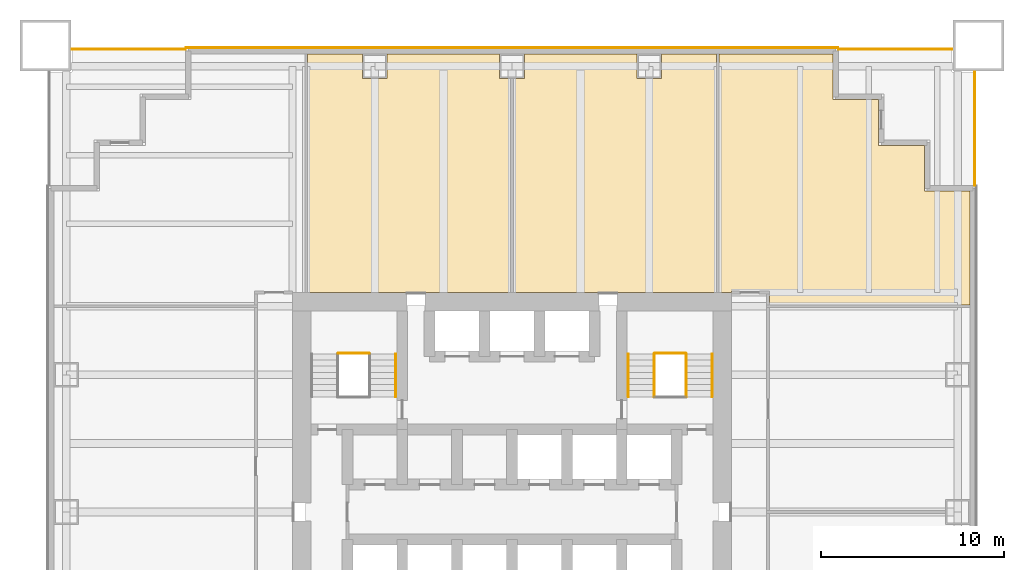
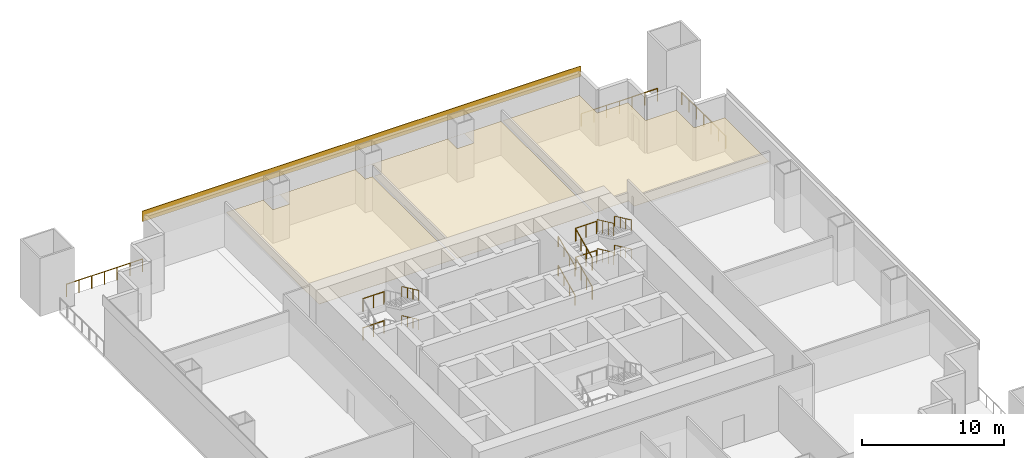
# One storey, part 6 of 6: 17 railings, 4 coverings.
"""IFC4 building model written with IfcOpenShell, lengths in metres."""

from ifc_helpers import new_model, si_unit, direction, frame, origin, origin_2d, place, context, subcontext, project, spatial, polyline, rectangle, circle, outline, extrude, material, layer, layer_set, type_object, element, save


model = new_model("IFC4")

# Units and contexts
model_context = context("Model", 3, precision=1e-05, world=origin(), true_north=direction((0.0, 1.0)))
body_context = subcontext(model_context, "Body", "Model", "MODEL_VIEW")
ifc_project = project(units=[si_unit("LENGTHUNIT", "METRE"), si_unit("AREAUNIT", "SQUARE_METRE"), si_unit("VOLUMEUNIT", "CUBIC_METRE"), si_unit("PLANEANGLEUNIT", "RADIAN"), si_unit("MASSUNIT", "GRAM", prefix="KILO")], contexts=[model_context])

# Site, building, storey
site_placement = place(None, origin())
site = spatial("IfcSite", under=ifc_project, at=site_placement, CompositionType="ELEMENT")
building_placement = place(site_placement, origin())
building = spatial("IfcBuilding", under=site, at=building_placement, Name="Tarangal Relay Tower", CompositionType="ELEMENT")
storey_placement = place(building_placement, frame((0.0, 0.0, 63.39990234375)))
storey = spatial("IfcBuildingStorey", under=building, at=storey_placement, Name="L12", CompositionType="ELEMENT", Elevation=63.39990234375)

# Covering
ifc_material_1 = material(Name="Black anodised aluminium cladding", Category="aluminium")
ifc_layer_1 = layer(ifc_material_1, 0.050048828125)
ifc_layer_set_1 = layer_set([ifc_layer_1], Name="Black metal spandrel band")
covering_type_1 = type_object("IfcCoveringType", Name="Black metal spandrel band", PredefinedType="CLADDING", material=ifc_layer_set_1)
covering_1_placement = place(storey_placement, frame((0.0, 25.375, 4.250244140625), z_axis=(0.0, 0.0, 1.0), x_axis=(1.0, 0.0, 0.0)))
element("IfcCovering", 1, at=covering_1_placement, inside=storey, type_object=covering_type_1, Name="Spandrel band SB1 N L12", PredefinedType="CLADDING", context=body_context, shape_type="SweptSolid", body=[
    extrude(rectangle(XDim=35.699951171875, YDim=0.050048828125, at=origin_2d()), origin(), (0.0, 0.0, 1.0), 0.89990234375),
])

# Railings
ifc_material_2 = material(Name="Steel guard, black finish", Category="steel")
railing_type_1 = type_object("IfcRailingType", Name="Stair guard 1100", PredefinedType="GUARDRAIL", material=ifc_material_2)
for number, where, name in (
    (2, (-9.5, 8.675048828125, 1.25), "Stair ST-A landing guard GR1 L12"),
    (3, (-9.5, 8.675048828125, 3.75), "Stair ST-A landing guard GR1 L12"),
):
    element("IfcRailing", number, at=place(storey_placement, frame(where)), inside=storey, type_object=railing_type_1, Name=name, PredefinedType="GUARDRAIL", context=body_context, shape_type="SweptSolid", body=[
        extrude(circle(Radius=0.02392578125, at=origin_2d()), frame((0.0, 0.0, 1.076171875), z_axis=(1.0, 0.0, 0.0), x_axis=(0.0, 1.0, 0.0)), (0.0, 0.0, 1.0), 1.699951171875),
        extrude(circle(Radius=0.02099609375, at=origin_2d()), origin(), (0.0, 0.0, 1.0), 1.052001953125),
        extrude(circle(Radius=0.02099609375, at=origin_2d()), frame((0.85009765625, 0.0, 0.0)), (0.0, 0.0, 1.0), 1.052001953125),
        extrude(circle(Radius=0.02099609375, at=origin_2d()), frame((1.699951171875, 0.0, 0.0)), (0.0, 0.0, 1.0), 1.052001953125),
    ])
railing_1_placement = place(storey_placement, frame((7.77001953125, 6.300048828125, 0.15625)))
element("IfcRailing", 4, at=railing_1_placement, inside=storey, type_object=railing_type_1, Name="Stair ST-B guard GR1 L12 flight 1", PredefinedType="GUARDRAIL", context=body_context, shape_type="SweptSolid", body=[
    extrude(circle(Radius=0.02392578125, at=origin_2d()), frame((0.0, 0.0, 1.076171875), z_axis=(0.0, 0.90626748934, 0.422704669676), x_axis=(-1.0, 0.0, 0.0)), (0.0, 0.0, 1.0), 2.58740234375),
    extrude(circle(Radius=0.02099609375, at=origin_2d()), origin(), (0.0, 0.0, 1.0), 1.052001953125),
    extrude(circle(Radius=0.02099609375, at=origin_2d()), frame((0.0, 0.78173828125, 0.364501953125)), (0.0, 0.0, 1.0), 1.052001953125),
    extrude(circle(Radius=0.02099609375, at=origin_2d()), frame((0.0, 1.563232421875, 0.729248046875)), (0.0, 0.0, 1.0), 1.052001953125),
    extrude(circle(Radius=0.02099609375, at=origin_2d()), frame((0.0, 2.344970703125, 1.09375)), (0.0, 0.0, 1.0), 1.052001953125),
])
railing_2_placement = place(storey_placement, frame((9.530029296875, 8.64501953125, 1.406494140625)))
element("IfcRailing", 5, at=railing_2_placement, inside=storey, type_object=railing_type_1, Name="Stair ST-B guard GR1 L12 flight 2", PredefinedType="GUARDRAIL", context=body_context, shape_type="SweptSolid", body=[
    extrude(circle(Radius=0.02392578125, at=origin_2d()), frame((0.0, 0.0, 1.076171875), z_axis=(0.0, -0.906303632821, 0.42262717037), x_axis=(1.0, 0.0, 0.0)), (0.0, 0.0, 1.0), 2.58740234375),
    extrude(circle(Radius=0.02099609375, at=origin_2d()), origin(), (0.0, 0.0, 1.0), 1.052001953125),
    extrude(circle(Radius=0.02099609375, at=origin_2d()), frame((0.0, -0.78173828125, 0.364501953125)), (0.0, 0.0, 1.0), 1.052001953125),
    extrude(circle(Radius=0.02099609375, at=origin_2d()), frame((0.0, -1.563232421875, 0.72900390625)), (0.0, 0.0, 1.0), 1.052001953125),
    extrude(circle(Radius=0.02099609375, at=origin_2d()), frame((0.0, -2.344970703125, 1.093505859375)), (0.0, 0.0, 1.0), 1.052001953125),
])
railing_3_placement = place(storey_placement, frame((7.77001953125, 6.300048828125, 2.656494140625)))
element("IfcRailing", 6, at=railing_3_placement, inside=storey, type_object=railing_type_1, Name="Stair ST-B guard GR1 L12 flight 3", PredefinedType="GUARDRAIL", context=body_context, shape_type="SweptSolid", body=[
    extrude(circle(Radius=0.02392578125, at=origin_2d()), frame((0.0, 0.0, 1.076171875), z_axis=(0.0, 0.906303632821, 0.42262717037), x_axis=(-1.0, 0.0, 0.0)), (0.0, 0.0, 1.0), 2.58740234375),
    extrude(circle(Radius=0.02099609375, at=origin_2d()), origin(), (0.0, 0.0, 1.0), 1.052001953125),
    extrude(circle(Radius=0.02099609375, at=origin_2d()), frame((0.0, 0.78173828125, 0.364501953125)), (0.0, 0.0, 1.0), 1.052001953125),
    extrude(circle(Radius=0.02099609375, at=origin_2d()), frame((0.0, 1.563232421875, 0.72900390625)), (0.0, 0.0, 1.0), 1.052001953125),
    extrude(circle(Radius=0.02099609375, at=origin_2d()), frame((0.0, 2.344970703125, 1.093505859375)), (0.0, 0.0, 1.0), 1.052001953125),
])
railing_4_placement = place(storey_placement, frame((9.530029296875, 8.64501953125, 3.906494140625)))
element("IfcRailing", 7, at=railing_4_placement, inside=storey, type_object=railing_type_1, Name="Stair ST-B guard GR1 L12 flight 4", PredefinedType="GUARDRAIL", context=body_context, shape_type="SweptSolid", body=[
    extrude(circle(Radius=0.02392578125, at=origin_2d()), frame((0.0, 0.0, 1.076171875), z_axis=(0.0, -0.906303632821, 0.42262717037), x_axis=(1.0, 0.0, 0.0)), (0.0, 0.0, 1.0), 2.58740234375),
    extrude(circle(Radius=0.02099609375, at=origin_2d()), origin(), (0.0, 0.0, 1.0), 1.052001953125),
    extrude(circle(Radius=0.02099609375, at=origin_2d()), frame((0.0, -0.78173828125, 0.364501953125)), (0.0, 0.0, 1.0), 1.052001953125),
    extrude(circle(Radius=0.02099609375, at=origin_2d()), frame((0.0, -1.563232421875, 0.72900390625)), (0.0, 0.0, 1.0), 1.052001953125),
    extrude(circle(Radius=0.02099609375, at=origin_2d()), frame((0.0, -2.344970703125, 1.093505859375)), (0.0, 0.0, 1.0), 1.052001953125),
])
for number, where, name in (
    (8, (7.800048828125, 8.675048828125, 1.25), "Stair ST-B landing guard GR1 L12"),
    (9, (7.800048828125, 8.675048828125, 3.75), "Stair ST-B landing guard GR1 L12"),
):
    element("IfcRailing", number, at=place(storey_placement, frame(where)), inside=storey, type_object=railing_type_1, Name=name, PredefinedType="GUARDRAIL", context=body_context, shape_type="SweptSolid", body=[
        extrude(circle(Radius=0.02392578125, at=origin_2d()), frame((0.0, 0.0, 1.076171875), z_axis=(1.0, 0.0, 0.0), x_axis=(0.0, 1.0, 0.0)), (0.0, 0.0, 1.0), 1.699951171875),
        extrude(circle(Radius=0.02099609375, at=origin_2d()), origin(), (0.0, 0.0, 1.0), 1.052001953125),
        extrude(circle(Radius=0.02099609375, at=origin_2d()), frame((0.85009765625, 0.0, 0.0)), (0.0, 0.0, 1.0), 1.052001953125),
        extrude(circle(Radius=0.02099609375, at=origin_2d()), frame((1.699951171875, 0.0, 0.0)), (0.0, 0.0, 1.0), 1.052001953125),
    ])
ifc_material_3 = material(Name="Steel handrail, black finish", Category="steel")
railing_type_2 = type_object("IfcRailingType", Name="Stair handrail 900", PredefinedType="HANDRAIL", material=ifc_material_3)
for number, where, name in (
    (10, (-6.360107421875, 8.64501953125, 1.406494140625), "Stair ST-A handrail HR1 L12 flight 2"),
    (11, (-6.360107421875, 8.64501953125, 3.906494140625), "Stair ST-A handrail HR1 L12 flight 4"),
):
    element("IfcRailing", number, at=place(storey_placement, frame(where)), inside=storey, type_object=railing_type_2, Name=name, PredefinedType="HANDRAIL", context=body_context, shape_type="SweptSolid", body=[
        extrude(circle(Radius=0.02392578125, at=origin_2d()), frame((0.0, 0.0, 0.8759765625), z_axis=(0.0, -0.906303632821, 0.42262717037), x_axis=(1.0, 0.0, 0.0)), (0.0, 0.0, 1.0), 2.58740234375),
        extrude(circle(Radius=0.02099609375, at=origin_2d()), origin(), (0.0, 0.0, 1.0), 0.851806640625),
        extrude(circle(Radius=0.02099609375, at=origin_2d()), frame((0.0, -0.78173828125, 0.364501953125)), (0.0, 0.0, 1.0), 0.851806640625),
        extrude(circle(Radius=0.02099609375, at=origin_2d()), frame((0.0, -1.563232421875, 0.72900390625)), (0.0, 0.0, 1.0), 0.851806640625),
        extrude(circle(Radius=0.02099609375, at=origin_2d()), frame((0.0, -2.344970703125, 1.093505859375)), (0.0, 0.0, 1.0), 0.851806640625),
    ])
railing_5_placement = place(storey_placement, frame((6.360107421875, 6.300048828125, 0.15625)))
element("IfcRailing", 12, at=railing_5_placement, inside=storey, type_object=railing_type_2, Name="Stair ST-B handrail HR1 L12 flight 1", PredefinedType="HANDRAIL", context=body_context, shape_type="SweptSolid", body=[
    extrude(circle(Radius=0.02392578125, at=origin_2d()), frame((0.0, 0.0, 0.8759765625), z_axis=(0.0, 0.90626748934, 0.422704669676), x_axis=(-1.0, 0.0, 0.0)), (0.0, 0.0, 1.0), 2.58740234375),
    extrude(circle(Radius=0.02099609375, at=origin_2d()), origin(), (0.0, 0.0, 1.0), 0.851806640625),
    extrude(circle(Radius=0.02099609375, at=origin_2d()), frame((0.0, 0.78173828125, 0.364501953125)), (0.0, 0.0, 1.0), 0.851806640625),
    extrude(circle(Radius=0.02099609375, at=origin_2d()), frame((0.0, 1.563232421875, 0.729248046875)), (0.0, 0.0, 1.0), 0.851806640625),
    extrude(circle(Radius=0.02099609375, at=origin_2d()), frame((0.0, 2.344970703125, 1.09375)), (0.0, 0.0, 1.0), 0.851806640625),
])
railing_6_placement = place(storey_placement, frame((10.93994140625, 8.64501953125, 1.406494140625)))
element("IfcRailing", 13, at=railing_6_placement, inside=storey, type_object=railing_type_2, Name="Stair ST-B handrail HR1 L12 flight 2", PredefinedType="HANDRAIL", context=body_context, shape_type="SweptSolid", body=[
    extrude(circle(Radius=0.02392578125, at=origin_2d()), frame((0.0, 0.0, 0.8759765625), z_axis=(0.0, -0.906303632821, 0.42262717037), x_axis=(1.0, 0.0, 0.0)), (0.0, 0.0, 1.0), 2.58740234375),
    extrude(circle(Radius=0.02099609375, at=origin_2d()), origin(), (0.0, 0.0, 1.0), 0.851806640625),
    extrude(circle(Radius=0.02099609375, at=origin_2d()), frame((0.0, -0.78173828125, 0.364501953125)), (0.0, 0.0, 1.0), 0.851806640625),
    extrude(circle(Radius=0.02099609375, at=origin_2d()), frame((0.0, -1.563232421875, 0.72900390625)), (0.0, 0.0, 1.0), 0.851806640625),
    extrude(circle(Radius=0.02099609375, at=origin_2d()), frame((0.0, -2.344970703125, 1.093505859375)), (0.0, 0.0, 1.0), 0.851806640625),
])
railing_7_placement = place(storey_placement, frame((6.360107421875, 6.300048828125, 2.656494140625)))
element("IfcRailing", 14, at=railing_7_placement, inside=storey, type_object=railing_type_2, Name="Stair ST-B handrail HR1 L12 flight 3", PredefinedType="HANDRAIL", context=body_context, shape_type="SweptSolid", body=[
    extrude(circle(Radius=0.02392578125, at=origin_2d()), frame((0.0, 0.0, 0.8759765625), z_axis=(0.0, 0.906303632821, 0.42262717037), x_axis=(-1.0, 0.0, 0.0)), (0.0, 0.0, 1.0), 2.58740234375),
    extrude(circle(Radius=0.02099609375, at=origin_2d()), origin(), (0.0, 0.0, 1.0), 0.851806640625),
    extrude(circle(Radius=0.02099609375, at=origin_2d()), frame((0.0, 0.78173828125, 0.364501953125)), (0.0, 0.0, 1.0), 0.851806640625),
    extrude(circle(Radius=0.02099609375, at=origin_2d()), frame((0.0, 1.563232421875, 0.72900390625)), (0.0, 0.0, 1.0), 0.851806640625),
    extrude(circle(Radius=0.02099609375, at=origin_2d()), frame((0.0, 2.344970703125, 1.093505859375)), (0.0, 0.0, 1.0), 0.851806640625),
])
railing_8_placement = place(storey_placement, frame((10.93994140625, 8.64501953125, 3.906494140625)))
element("IfcRailing", 15, at=railing_8_placement, inside=storey, type_object=railing_type_2, Name="Stair ST-B handrail HR1 L12 flight 4", PredefinedType="HANDRAIL", context=body_context, shape_type="SweptSolid", body=[
    extrude(circle(Radius=0.02392578125, at=origin_2d()), frame((0.0, 0.0, 0.8759765625), z_axis=(0.0, -0.906303632821, 0.42262717037), x_axis=(1.0, 0.0, 0.0)), (0.0, 0.0, 1.0), 2.58740234375),
    extrude(circle(Radius=0.02099609375, at=origin_2d()), origin(), (0.0, 0.0, 1.0), 0.851806640625),
    extrude(circle(Radius=0.02099609375, at=origin_2d()), frame((0.0, -0.78173828125, 0.364501953125)), (0.0, 0.0, 1.0), 0.851806640625),
    extrude(circle(Radius=0.02099609375, at=origin_2d()), frame((0.0, -1.563232421875, 0.72900390625)), (0.0, 0.0, 1.0), 0.851806640625),
    extrude(circle(Radius=0.02099609375, at=origin_2d()), frame((0.0, -2.344970703125, 1.093505859375)), (0.0, 0.0, 1.0), 0.851806640625),
])

# Coverings
ifc_material_4 = material(Name="Mineral fibre ceiling tiles", Category="gypsum")
ifc_layer_2 = layer(ifc_material_4, 0.02001953125)
ifc_layer_set_2 = layer_set([ifc_layer_2], Name="Suspended ceiling")
covering_type_2 = type_object("IfcCoveringType", Name="Suspended ceiling", PredefinedType="CEILING", material=ifc_layer_set_2)
covering_2_placement = place(storey_placement, frame((0.0, 0.0, 2.900146484375)))
element("IfcCovering", 16, at=covering_2_placement, inside=storey, type_object=covering_type_2, Name="Suspended ceiling CL1 L12-02", PredefinedType="CEILING", context=body_context, shape_type="SweptSolid", body=[
    extrude(outline(polyline([(-0.074951171875, 23.68994140625), (-0.675048828125, 23.68994140625), (-0.675048828125, 25.0400390625), (0.0, 25.0400390625), (0.0, 25.050048828125), (-11.175048828125, 25.050048828125), (-11.175048828125, 12.0), (-0.074951171875, 12.0), (-0.074951171875, 23.68994140625)]), holes=[polyline([(-6.824951171875, 23.68994140625), (-6.824951171875, 25.0400390625), (-8.175048828125, 25.0400390625), (-8.175048828125, 23.68994140625), (-6.824951171875, 23.68994140625)])]), origin(), (0.0, 0.0, 1.0), 0.02001953125),
])
covering_3_placement = place(storey_placement, frame((0.0, 0.0, 2.900146484375)))
element("IfcCovering", 17, at=covering_3_placement, inside=storey, type_object=covering_type_2, Name="Suspended ceiling CL1 L12-03", PredefinedType="CEILING", context=body_context, shape_type="SweptSolid", body=[
    extrude(outline(polyline([(0.074951171875, 12.0), (11.175048828125, 12.0), (11.175048828125, 25.050048828125), (0.0, 25.050048828125), (0.0, 25.0400390625), (0.675048828125, 25.0400390625), (0.675048828125, 23.68994140625), (0.074951171875, 23.68994140625), (0.074951171875, 12.0)]), holes=[polyline([(8.175048828125, 23.68994140625), (8.175048828125, 25.0400390625), (6.824951171875, 25.0400390625), (6.824951171875, 23.68994140625), (8.175048828125, 23.68994140625)])]), origin(), (0.0, 0.0, 1.0), 0.02001953125),
])
covering_4_placement = place(storey_placement, frame((0.0, 0.0, 2.900146484375)))
element("IfcCovering", 18, at=covering_4_placement, inside=storey, type_object=covering_type_2, Name="Suspended ceiling CL1 L12-11", PredefinedType="CEILING", context=body_context, shape_type="SweptSolid", body=[
    extrude(outline(polyline([(11.324951171875, 25.050048828125), (11.324951171875, 12.0), (12.0, 12.0), (12.0, 12.074951171875), (14.074951171875, 12.074951171875), (14.074951171875, 11.324951171875), (25.050048828125, 11.324951171875), (25.050048828125, 17.550048828125), (22.550048828125, 17.550048828125), (22.550048828125, 20.050048828125), (20.050048828125, 20.050048828125), (20.050048828125, 22.550048828125), (17.550048828125, 22.550048828125), (17.550048828125, 25.050048828125), (11.324951171875, 25.050048828125)])), origin(), (0.0, 0.0, 1.0), 0.02001953125),
])

# Railings
ifc_material_5 = material(Name="Black steel guard with glass infill", Category="steel")
railing_type_3 = type_object("IfcRailingType", Name="Terrace guard 1100", PredefinedType="GUARDRAIL", material=ifc_material_5)
railing_9_placement = place(storey_placement, frame((17.85009765625, 25.300048828125, 0.0)))
element("IfcRailing", 19, at=railing_9_placement, inside=storey, type_object=railing_type_3, Name="Terrace guard GR2 NE L12", PredefinedType="GUARDRAIL", context=body_context, shape_type="SweptSolid", body=[
    extrude(circle(Radius=0.02392578125, at=origin_2d()), frame((0.0, 0.0, 1.076171875), z_axis=(1.0, 0.0, 0.0), x_axis=(0.0, 1.0, 0.0)), (0.0, 0.0, 1.0), 6.199951171875),
    extrude(circle(Radius=0.02099609375, at=origin_2d()), origin(), (0.0, 0.0, 1.0), 1.052001953125),
    extrude(circle(Radius=0.02099609375, at=origin_2d()), frame((1.033203125, 0.0, 0.0)), (0.0, 0.0, 1.0), 1.052001953125),
    extrude(circle(Radius=0.02099609375, at=origin_2d()), frame((2.066650390625, 0.0, 0.0)), (0.0, 0.0, 1.0), 1.052001953125),
    extrude(circle(Radius=0.02099609375, at=origin_2d()), frame((3.10009765625, 0.0, 0.0)), (0.0, 0.0, 1.0), 1.052001953125),
    extrude(circle(Radius=0.02099609375, at=origin_2d()), frame((4.13330078125, 0.0, 0.0)), (0.0, 0.0, 1.0), 1.052001953125),
    extrude(circle(Radius=0.02099609375, at=origin_2d()), frame((5.16650390625, 0.0, 0.0)), (0.0, 0.0, 1.0), 1.052001953125),
    extrude(circle(Radius=0.02099609375, at=origin_2d()), frame((6.199951171875, 0.0, 0.0)), (0.0, 0.0, 1.0), 1.052001953125),
])
railing_10_placement = place(storey_placement, frame((25.300048828125, 24.050048828125, 0.0)))
element("IfcRailing", 20, at=railing_10_placement, inside=storey, type_object=railing_type_3, Name="Terrace guard GR2 NE L12", PredefinedType="GUARDRAIL", context=body_context, shape_type="SweptSolid", body=[
    extrude(circle(Radius=0.02392578125, at=origin_2d()), frame((0.0, 0.0, 1.076171875), z_axis=(0.0, -1.0, 0.0), x_axis=(1.0, 0.0, 0.0)), (0.0, 0.0, 1.0), 6.199951171875),
    extrude(circle(Radius=0.02099609375, at=origin_2d()), origin(), (0.0, 0.0, 1.0), 1.052001953125),
    extrude(circle(Radius=0.02099609375, at=origin_2d()), frame((0.0, -1.033203125, 0.0)), (0.0, 0.0, 1.0), 1.052001953125),
    extrude(circle(Radius=0.02099609375, at=origin_2d()), frame((0.0, -2.066650390625, 0.0)), (0.0, 0.0, 1.0), 1.052001953125),
    extrude(circle(Radius=0.02099609375, at=origin_2d()), frame((0.0, -3.10009765625, 0.0)), (0.0, 0.0, 1.0), 1.052001953125),
    extrude(circle(Radius=0.02099609375, at=origin_2d()), frame((0.0, -4.13330078125, 0.0)), (0.0, 0.0, 1.0), 1.052001953125),
    extrude(circle(Radius=0.02099609375, at=origin_2d()), frame((0.0, -5.16650390625, 0.0)), (0.0, 0.0, 1.0), 1.052001953125),
    extrude(circle(Radius=0.02099609375, at=origin_2d()), frame((0.0, -6.199951171875, 0.0)), (0.0, 0.0, 1.0), 1.052001953125),
])
railing_11_placement = place(storey_placement, frame((-24.050048828125, 25.300048828125, 0.0)))
element("IfcRailing", 21, at=railing_11_placement, inside=storey, type_object=railing_type_3, Name="Terrace guard GR2 NW L12", PredefinedType="GUARDRAIL", context=body_context, shape_type="SweptSolid", body=[
    extrude(circle(Radius=0.02392578125, at=origin_2d()), frame((0.0, 0.0, 1.076171875), z_axis=(1.0, 0.0, 0.0), x_axis=(0.0, 1.0, 0.0)), (0.0, 0.0, 1.0), 6.199951171875),
    extrude(circle(Radius=0.02099609375, at=origin_2d()), origin(), (0.0, 0.0, 1.0), 1.052001953125),
    extrude(circle(Radius=0.02099609375, at=origin_2d()), frame((1.033203125, 0.0, 0.0)), (0.0, 0.0, 1.0), 1.052001953125),
    extrude(circle(Radius=0.02099609375, at=origin_2d()), frame((2.066650390625, 0.0, 0.0)), (0.0, 0.0, 1.0), 1.052001953125),
    extrude(circle(Radius=0.02099609375, at=origin_2d()), frame((3.10009765625, 0.0, 0.0)), (0.0, 0.0, 1.0), 1.052001953125),
    extrude(circle(Radius=0.02099609375, at=origin_2d()), frame((4.13330078125, 0.0, 0.0)), (0.0, 0.0, 1.0), 1.052001953125),
    extrude(circle(Radius=0.02099609375, at=origin_2d()), frame((5.16650390625, 0.0, 0.0)), (0.0, 0.0, 1.0), 1.052001953125),
    extrude(circle(Radius=0.02099609375, at=origin_2d()), frame((6.199951171875, 0.0, 0.0)), (0.0, 0.0, 1.0), 1.052001953125),
])

save(model, "model.ifc")
